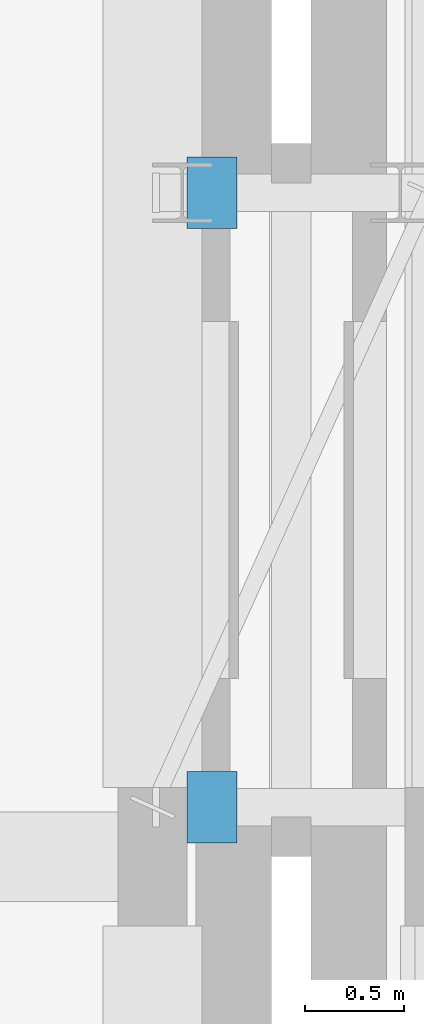
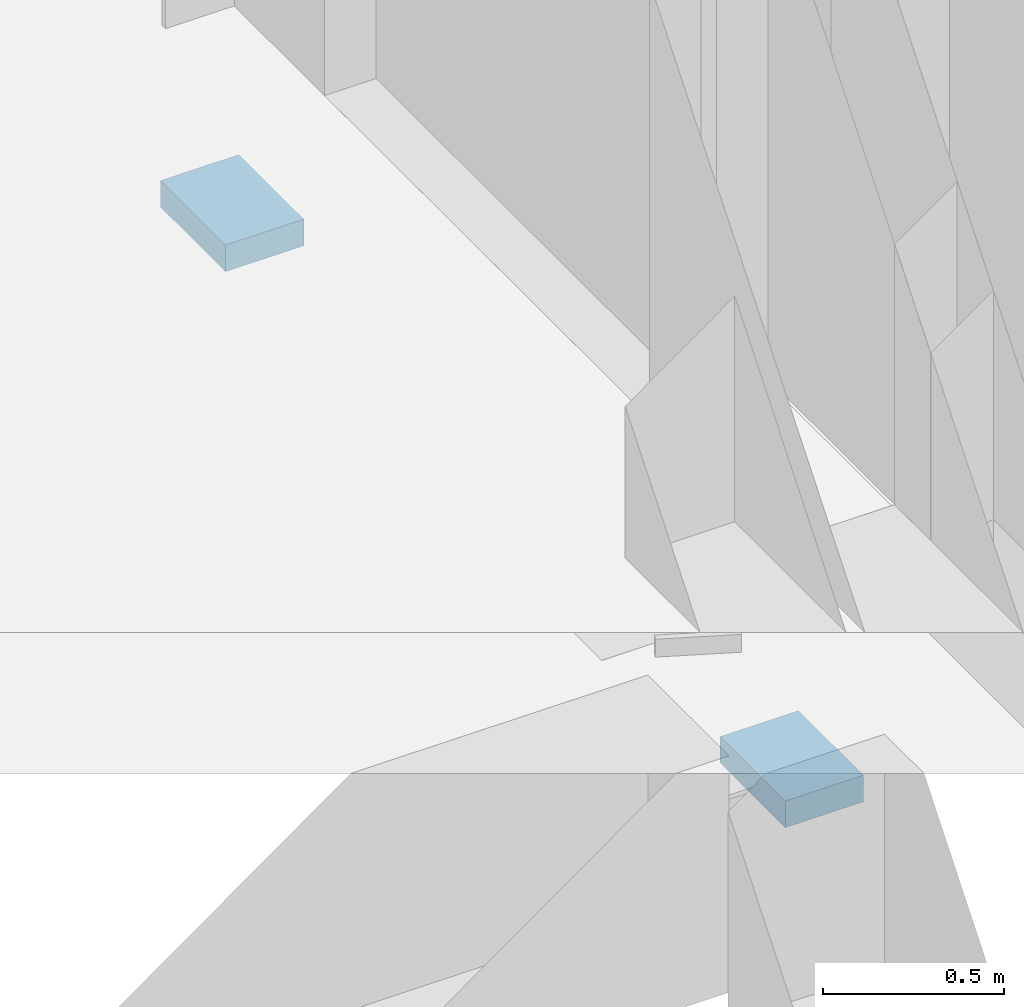
# One storey, part 59 of 84: 2 discrete accessories.
"""IFC4 building model written with IfcOpenShell, lengths in metres."""

from ifc_helpers import new_model, si_unit, direction, frame, origin, origin_2d, place, context, subcontext, project, spatial, rectangle, extrude, material, type_object, element, save


model = new_model("IFC4")

# Units and contexts
model_context = context("Model", 3, precision=1e-05, world=origin(), true_north=direction((0.0, 1.0)))
body_context = subcontext(model_context, "Body", "Model", "MODEL_VIEW")
ifc_project = project(units=[si_unit("LENGTHUNIT", "METRE"), si_unit("AREAUNIT", "SQUARE_METRE"), si_unit("VOLUMEUNIT", "CUBIC_METRE"), si_unit("PLANEANGLEUNIT", "RADIAN"), si_unit("MASSUNIT", "GRAM", prefix="KILO")], contexts=[model_context])

# Site, building, storey
site_placement = place(None, origin())
site = spatial("IfcSite", under=ifc_project, at=site_placement, CompositionType="ELEMENT")
building_placement = place(site_placement, origin())
building = spatial("IfcBuilding", under=site, at=building_placement, Name="Mzevani Central Library", CompositionType="ELEMENT")
storey_placement = place(building_placement, frame((0.0, 0.0, 5.39990234375)))
storey = spatial("IfcBuildingStorey", under=building, at=storey_placement, Name="L01", CompositionType="ELEMENT", Elevation=5.39990234375)

# Discrete accessories
ifc_material = material(Name="PTFE elastomer and Steel S355J2", Category="steel")
discrete_accessory_type = type_object("IfcDiscreteAccessoryType", Name="PTFE Bidirectional Seismic Sliding Bearing", PredefinedType="USERDEFINED", material=ifc_material)
for number, where, z_axis, x_axis, name in (
    (1, (45.60009765625, 100.25, -0.86474609375), (0.0, 0.0, 1.0), (1.0, 0.0, 0.0), "Stacks-Court Seismic Passage L01 PTFE Sliding Bearing 1"),
    (2, (45.60009765625, 103.35009765625, -0.86474609375), (0.0, 0.0, 1.0), (1.0, 0.0, 0.0), "Stacks-Court Seismic Passage L01 PTFE Sliding Bearing 2"),
):
    element("IfcDiscreteAccessory", number, at=place(storey_placement, frame(where, z_axis=z_axis, x_axis=x_axis)), inside=storey, type_object=discrete_accessory_type, Name=name, ObjectType="PTFE SLIDING BEARING", PredefinedType="USERDEFINED", context=body_context, shape_type="SweptSolid", body=[
        extrude(rectangle(XDim=0.25, YDim=0.360107421875, at=origin_2d()), origin(), (0.0, 0.0, 1.0), 0.090087890625),
    ])

save(model, "model.ifc")
